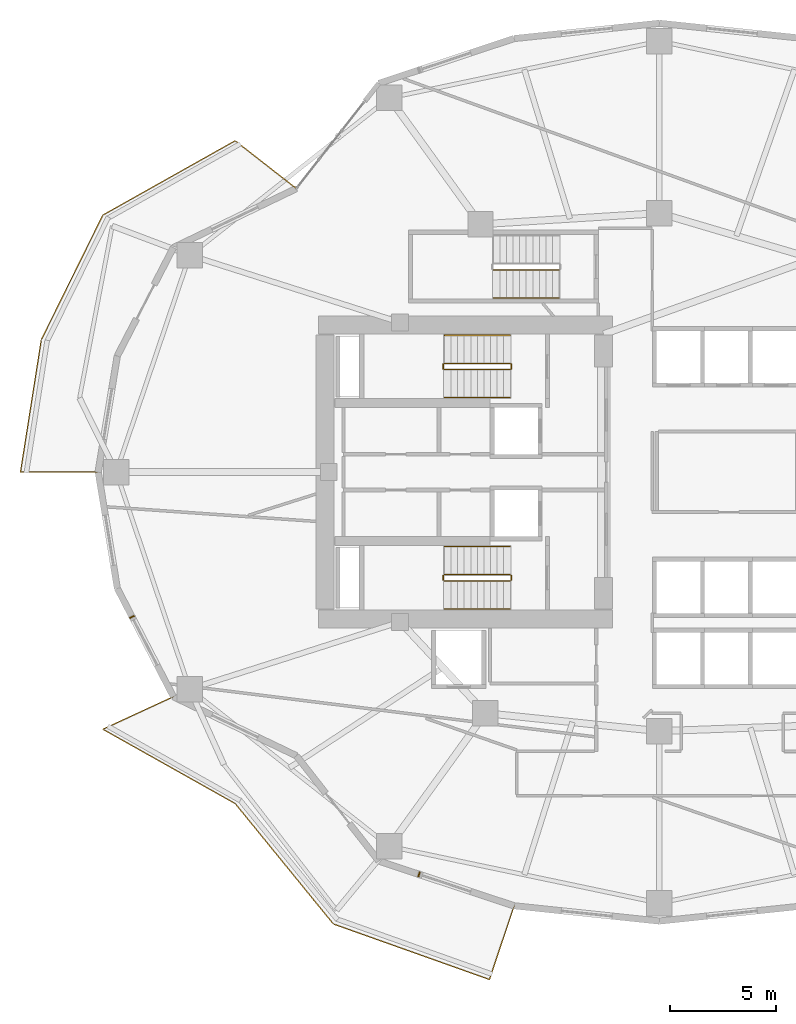
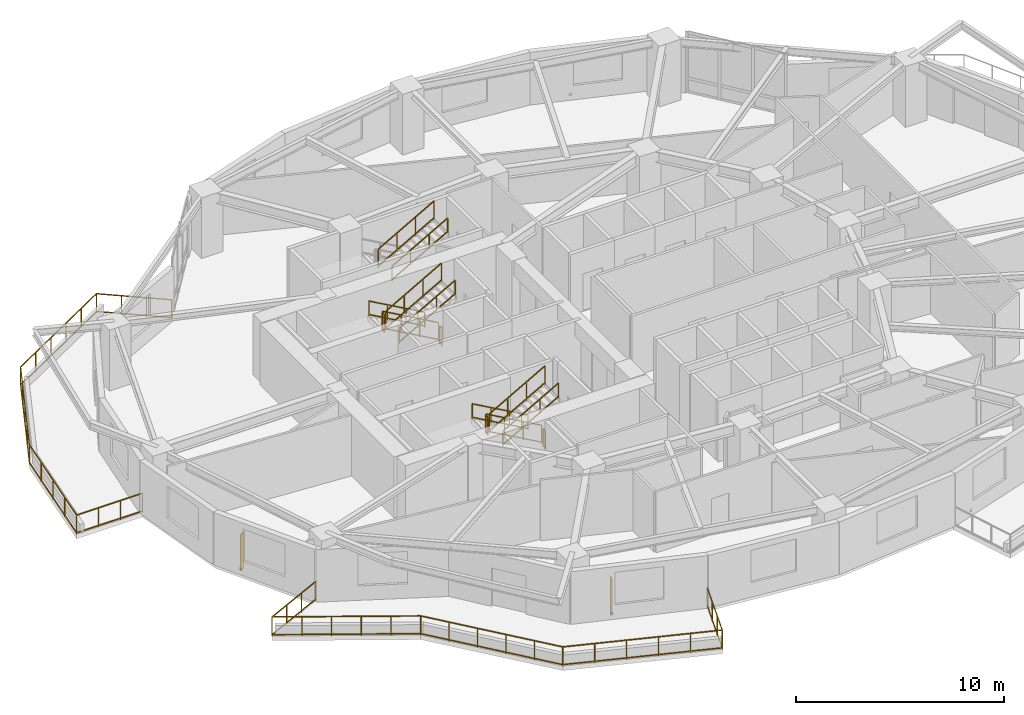
# One storey, part 10 of 12: 16 railings, 2 shading devices.
"""IFC4 building model written with IfcOpenShell, lengths in metres."""

from ifc_helpers import new_model, si_unit, direction, frame, origin, origin_2d, place, context, subcontext, project, spatial, rectangle, extrude, material, type_object, element, save


model = new_model("IFC4")

# Units and contexts
model_context = context("Model", 3, precision=1e-05, world=origin(), true_north=direction((0.0, 1.0)))
body_context = subcontext(model_context, "Body", "Model", "MODEL_VIEW")
ifc_project = project(units=[si_unit("LENGTHUNIT", "METRE"), si_unit("AREAUNIT", "SQUARE_METRE"), si_unit("VOLUMEUNIT", "CUBIC_METRE"), si_unit("PLANEANGLEUNIT", "RADIAN"), si_unit("MASSUNIT", "GRAM", prefix="KILO")], contexts=[model_context])

# Site, building, storey
site_placement = place(None, origin())
site = spatial("IfcSite", under=ifc_project, at=site_placement, CompositionType="ELEMENT")
building_placement = place(site_placement, origin())
building = spatial("IfcBuilding", under=site, at=building_placement, Name="Kolvaren Gate Tower and Convention Centre", CompositionType="ELEMENT")
storey_placement = place(building_placement, frame((0.0, 0.0, 84.25)))
storey = spatial("IfcBuildingStorey", under=building, at=storey_placement, Name="L20", CompositionType="ELEMENT", Elevation=84.25)

# Railings
ifc_material_1 = material(Name="Brushed Stainless Steel Grade 316L", Category="steel")
railing_type_1 = type_object("IfcRailingType", Name="ARCH-RL-GUARD-1150", PredefinedType="GUARDRAIL", material=ifc_material_1)
railing_1_placement = place(storey_placement, frame((23.10009765625, 32.1298828125, 0.175048828125)))
element("IfcRailing", 1, at=railing_1_placement, inside=storey, type_object=railing_type_1, Name="L20 ST-T1 stair guard 1", PredefinedType="GUARDRAIL", context=body_context, shape_type="SweptSolid", body=[
    extrude(rectangle(XDim=0.048095703125, YDim=0.048095703125, at=origin_2d()), frame((0.0, 0.0, 1.076171875), z_axis=(-0.870830938388, 0.0, 0.491582624537), x_axis=(0.0, -1.0, 0.0)), (0.0, 0.0, 1.0), 3.559814453125),
    extrude(rectangle(XDim=0.048095703125, YDim=0.048095703125, at=origin_2d()), frame((0.0, 0.0, 0.083984375), z_axis=(-0.870830938388, 0.0, 0.491582624537), x_axis=(0.0, -1.0, 0.0)), (0.0, 0.0, 1.0), 3.559814453125),
    extrude(rectangle(XDim=0.0419921875, YDim=0.0419921875, at=origin_2d()), origin(), (0.0, 0.0, 1.0), 1.050048828125),
    extrude(rectangle(XDim=0.0419921875, YDim=0.0419921875, at=origin_2d()), frame((-3.10009765625, 0.0, 1.75)), (0.0, 0.0, 1.0), 1.050048828125),
    extrude(rectangle(XDim=0.0419921875, YDim=0.0419921875, at=origin_2d()), frame((-1.033447265625, 0.0, 0.583251953125)), (0.0, 0.0, 1.0), 1.050048828125),
    extrude(rectangle(XDim=0.0419921875, YDim=0.0419921875, at=origin_2d()), frame((-2.066650390625, 0.0, 1.166748046875)), (0.0, 0.0, 1.0), 1.050048828125),
])
railing_2_placement = place(storey_placement, frame((19.949951171875, 32.080078125, 1.925048828125)))
element("IfcRailing", 2, at=railing_2_placement, inside=storey, type_object=railing_type_1, Name="L20 ST-T1 stair guard 2", PredefinedType="GUARDRAIL", context=body_context, shape_type="SweptSolid", body=[
    extrude(rectangle(XDim=0.048095703125, YDim=0.048095703125, at=origin_2d()), frame((0.0, 0.0, 1.076171875), z_axis=(0.0, -1.0, 0.0), x_axis=(1.0, 0.0, 0.0)), (0.0, 0.0, 1.0), 0.2001953125),
    extrude(rectangle(XDim=0.048095703125, YDim=0.048095703125, at=origin_2d()), frame((0.0, 0.0, 0.083984375), z_axis=(0.0, -1.0, 0.0), x_axis=(1.0, 0.0, 0.0)), (0.0, 0.0, 1.0), 0.2001953125),
    extrude(rectangle(XDim=0.0419921875, YDim=0.0419921875, at=origin_2d()), origin(), (0.0, 0.0, 1.0), 1.050048828125),
    extrude(rectangle(XDim=0.0419921875, YDim=0.0419921875, at=origin_2d()), frame((0.0, -0.2001953125, 0.0)), (0.0, 0.0, 1.0), 1.050048828125),
])
railing_3_placement = place(storey_placement, frame((20.0, 31.830078125, 2.10009765625)))
element("IfcRailing", 3, at=railing_3_placement, inside=storey, type_object=railing_type_1, Name="L20 ST-T1 stair guard 3", PredefinedType="GUARDRAIL", context=body_context, shape_type="SweptSolid", body=[
    extrude(rectangle(XDim=0.048095703125, YDim=0.048095703125, at=origin_2d()), frame((0.0, 0.0, 1.076171875), z_axis=(0.870830938388, 0.0, 0.491582624537), x_axis=(0.0, 1.0, 0.0)), (0.0, 0.0, 1.0), 3.559814453125),
    extrude(rectangle(XDim=0.048095703125, YDim=0.048095703125, at=origin_2d()), frame((0.0, 0.0, 0.083984375), z_axis=(0.870830938388, 0.0, 0.491582624537), x_axis=(0.0, 1.0, 0.0)), (0.0, 0.0, 1.0), 3.559814453125),
    extrude(rectangle(XDim=0.0419921875, YDim=0.0419921875, at=origin_2d()), origin(), (0.0, 0.0, 1.0), 1.050048828125),
    extrude(rectangle(XDim=0.0419921875, YDim=0.0419921875, at=origin_2d()), frame((3.10009765625, 0.0, 1.75)), (0.0, 0.0, 1.0), 1.050048828125),
    extrude(rectangle(XDim=0.0419921875, YDim=0.0419921875, at=origin_2d()), frame((1.033447265625, 0.0, 0.583251953125)), (0.0, 0.0, 1.0), 1.050048828125),
    extrude(rectangle(XDim=0.0419921875, YDim=0.0419921875, at=origin_2d()), frame((2.066650390625, 0.0, 1.166748046875)), (0.0, 0.0, 1.0), 1.050048828125),
])
railing_4_placement = place(storey_placement, frame((23.14990234375, 32.080078125, 0.0)))
element("IfcRailing", 4, at=railing_4_placement, inside=storey, type_object=railing_type_1, Name="L20 ST-T1 stair guard 4", PredefinedType="GUARDRAIL", context=body_context, shape_type="SweptSolid", body=[
    extrude(rectangle(XDim=0.048095703125, YDim=0.048095703125, at=origin_2d()), frame((0.0, 0.0, 1.076171875), z_axis=(0.0, -1.0, 0.0), x_axis=(1.0, 0.0, 0.0)), (0.0, 0.0, 1.0), 0.2001953125),
    extrude(rectangle(XDim=0.048095703125, YDim=0.048095703125, at=origin_2d()), frame((0.0, 0.0, 0.083984375), z_axis=(0.0, -1.0, 0.0), x_axis=(1.0, 0.0, 0.0)), (0.0, 0.0, 1.0), 0.2001953125),
    extrude(rectangle(XDim=0.0419921875, YDim=0.0419921875, at=origin_2d()), origin(), (0.0, 0.0, 1.0), 1.050048828125),
    extrude(rectangle(XDim=0.0419921875, YDim=0.0419921875, at=origin_2d()), frame((0.0, -0.2001953125, 0.0)), (0.0, 0.0, 1.0), 1.050048828125),
])
railing_5_placement = place(storey_placement, frame((23.10009765625, 22.169921875, 0.175048828125)))
element("IfcRailing", 5, at=railing_5_placement, inside=storey, type_object=railing_type_1, Name="L20 ST-T2 stair guard 1", PredefinedType="GUARDRAIL", context=body_context, shape_type="SweptSolid", body=[
    extrude(rectangle(XDim=0.048095703125, YDim=0.048095703125, at=origin_2d()), frame((0.0, 0.0, 1.076171875), z_axis=(-0.870830938388, 0.0, 0.491582624537), x_axis=(0.0, -1.0, 0.0)), (0.0, 0.0, 1.0), 3.559814453125),
    extrude(rectangle(XDim=0.048095703125, YDim=0.048095703125, at=origin_2d()), frame((0.0, 0.0, 0.083984375), z_axis=(-0.870830938388, 0.0, 0.491582624537), x_axis=(0.0, -1.0, 0.0)), (0.0, 0.0, 1.0), 3.559814453125),
    extrude(rectangle(XDim=0.0419921875, YDim=0.0419921875, at=origin_2d()), origin(), (0.0, 0.0, 1.0), 1.050048828125),
    extrude(rectangle(XDim=0.0419921875, YDim=0.0419921875, at=origin_2d()), frame((-3.10009765625, 0.0, 1.75)), (0.0, 0.0, 1.0), 1.050048828125),
    extrude(rectangle(XDim=0.0419921875, YDim=0.0419921875, at=origin_2d()), frame((-1.033447265625, 0.0, 0.583251953125)), (0.0, 0.0, 1.0), 1.050048828125),
    extrude(rectangle(XDim=0.0419921875, YDim=0.0419921875, at=origin_2d()), frame((-2.066650390625, 0.0, 1.166748046875)), (0.0, 0.0, 1.0), 1.050048828125),
])
railing_6_placement = place(storey_placement, frame((19.949951171875, 22.1201171875, 1.925048828125)))
element("IfcRailing", 6, at=railing_6_placement, inside=storey, type_object=railing_type_1, Name="L20 ST-T2 stair guard 2", PredefinedType="GUARDRAIL", context=body_context, shape_type="SweptSolid", body=[
    extrude(rectangle(XDim=0.048095703125, YDim=0.048095703125, at=origin_2d()), frame((0.0, 0.0, 1.076171875), z_axis=(0.0, -1.0, 0.0), x_axis=(1.0, 0.0, 0.0)), (0.0, 0.0, 1.0), 0.2001953125),
    extrude(rectangle(XDim=0.048095703125, YDim=0.048095703125, at=origin_2d()), frame((0.0, 0.0, 0.083984375), z_axis=(0.0, -1.0, 0.0), x_axis=(1.0, 0.0, 0.0)), (0.0, 0.0, 1.0), 0.2001953125),
    extrude(rectangle(XDim=0.0419921875, YDim=0.0419921875, at=origin_2d()), origin(), (0.0, 0.0, 1.0), 1.050048828125),
    extrude(rectangle(XDim=0.0419921875, YDim=0.0419921875, at=origin_2d()), frame((0.0, -0.2001953125, 0.0)), (0.0, 0.0, 1.0), 1.050048828125),
])
railing_7_placement = place(storey_placement, frame((20.0, 21.8701171875, 2.10009765625)))
element("IfcRailing", 7, at=railing_7_placement, inside=storey, type_object=railing_type_1, Name="L20 ST-T2 stair guard 3", PredefinedType="GUARDRAIL", context=body_context, shape_type="SweptSolid", body=[
    extrude(rectangle(XDim=0.048095703125, YDim=0.048095703125, at=origin_2d()), frame((0.0, 0.0, 1.076171875), z_axis=(0.870830938388, 0.0, 0.491582624537), x_axis=(0.0, 1.0, 0.0)), (0.0, 0.0, 1.0), 3.559814453125),
    extrude(rectangle(XDim=0.048095703125, YDim=0.048095703125, at=origin_2d()), frame((0.0, 0.0, 0.083984375), z_axis=(0.870830938388, 0.0, 0.491582624537), x_axis=(0.0, 1.0, 0.0)), (0.0, 0.0, 1.0), 3.559814453125),
    extrude(rectangle(XDim=0.0419921875, YDim=0.0419921875, at=origin_2d()), origin(), (0.0, 0.0, 1.0), 1.050048828125),
    extrude(rectangle(XDim=0.0419921875, YDim=0.0419921875, at=origin_2d()), frame((3.10009765625, 0.0, 1.75)), (0.0, 0.0, 1.0), 1.050048828125),
    extrude(rectangle(XDim=0.0419921875, YDim=0.0419921875, at=origin_2d()), frame((1.033447265625, 0.0, 0.583251953125)), (0.0, 0.0, 1.0), 1.050048828125),
    extrude(rectangle(XDim=0.0419921875, YDim=0.0419921875, at=origin_2d()), frame((2.066650390625, 0.0, 1.166748046875)), (0.0, 0.0, 1.0), 1.050048828125),
])
railing_8_placement = place(storey_placement, frame((23.14990234375, 22.1201171875, 0.0)))
element("IfcRailing", 8, at=railing_8_placement, inside=storey, type_object=railing_type_1, Name="L20 ST-T2 stair guard 4", PredefinedType="GUARDRAIL", context=body_context, shape_type="SweptSolid", body=[
    extrude(rectangle(XDim=0.048095703125, YDim=0.048095703125, at=origin_2d()), frame((0.0, 0.0, 1.076171875), z_axis=(0.0, -1.0, 0.0), x_axis=(1.0, 0.0, 0.0)), (0.0, 0.0, 1.0), 0.2001953125),
    extrude(rectangle(XDim=0.048095703125, YDim=0.048095703125, at=origin_2d()), frame((0.0, 0.0, 0.083984375), z_axis=(0.0, -1.0, 0.0), x_axis=(1.0, 0.0, 0.0)), (0.0, 0.0, 1.0), 0.2001953125),
    extrude(rectangle(XDim=0.0419921875, YDim=0.0419921875, at=origin_2d()), origin(), (0.0, 0.0, 1.0), 1.050048828125),
    extrude(rectangle(XDim=0.0419921875, YDim=0.0419921875, at=origin_2d()), frame((0.0, -0.2001953125, 0.0)), (0.0, 0.0, 1.0), 1.050048828125),
])
railing_9_placement = place(storey_placement, frame((22.300048828125, 36.530029296875, 2.10009765625)))
element("IfcRailing", 9, at=railing_9_placement, inside=storey, type_object=railing_type_1, Name="L20 ST-T3 stair guard 3", PredefinedType="GUARDRAIL", context=body_context, shape_type="SweptSolid", body=[
    extrude(rectangle(XDim=0.048095703125, YDim=0.048095703125, at=origin_2d()), frame((0.0, 0.0, 1.076171875), z_axis=(0.870814364268, 0.0, 0.491611984175), x_axis=(0.0, 1.0, 0.0)), (0.0, 0.0, 1.0), 3.559814453125),
    extrude(rectangle(XDim=0.048095703125, YDim=0.048095703125, at=origin_2d()), frame((0.0, 0.0, 0.083984375), z_axis=(0.870814364268, 0.0, 0.491611984175), x_axis=(0.0, 1.0, 0.0)), (0.0, 0.0, 1.0), 3.559814453125),
    extrude(rectangle(XDim=0.0419921875, YDim=0.0419921875, at=origin_2d()), origin(), (0.0, 0.0, 1.0), 1.050048828125),
    extrude(rectangle(XDim=0.0419921875, YDim=0.0419921875, at=origin_2d()), frame((3.099853515625, 0.0, 1.75)), (0.0, 0.0, 1.0), 1.050048828125),
    extrude(rectangle(XDim=0.0419921875, YDim=0.0419921875, at=origin_2d()), frame((1.033203125, 0.0, 0.583251953125)), (0.0, 0.0, 1.0), 1.050048828125),
    extrude(rectangle(XDim=0.0419921875, YDim=0.0419921875, at=origin_2d()), frame((2.066650390625, 0.0, 1.166748046875)), (0.0, 0.0, 1.0), 1.050048828125),
])
railing_10_placement = place(storey_placement, frame((13.026123046875, 40.360107421875, 0.0)))
element("IfcRailing", 10, at=railing_10_placement, inside=storey, type_object=railing_type_1, Name="Tower L20 Terrace Perimeter Guardrail GR-2", PredefinedType="GUARDRAIL", context=body_context, shape_type="SweptSolid", body=[
    extrude(rectangle(XDim=0.048095703125, YDim=0.048095703125, at=origin_2d()), frame((-0.022216796875, 0.017333984375, 1.1259765625), z_axis=(-0.787988976981, 0.61568934712, 0.0), x_axis=(-0.61568934712, -0.787988976981, 0.0)), (0.0, 0.0, 1.0), 3.60400390625),
    extrude(rectangle(XDim=0.048095703125, YDim=0.048095703125, at=origin_2d()), frame((-0.022216796875, 0.017333984375, 0.083984375), z_axis=(-0.787988976981, 0.61568934712, 0.0), x_axis=(-0.61568934712, -0.787988976981, 0.0)), (0.0, 0.0, 1.0), 3.60400390625),
    extrude(rectangle(XDim=0.048095703125, YDim=0.048095703125, at=origin_2d()), frame((-2.908447265625, 2.23974609375, 1.1259765625), z_axis=(-0.871783301661, -0.489891697159, 0.0), x_axis=(0.489891697159, -0.871783301661, 0.0)), (0.0, 0.0, 1.0), 7.096435546875),
    extrude(rectangle(XDim=0.048095703125, YDim=0.048095703125, at=origin_2d()), frame((-2.908447265625, 2.23974609375, 0.083984375), z_axis=(-0.871783301661, -0.489891697159, 0.0), x_axis=(0.489891697159, -0.871783301661, 0.0)), (0.0, 0.0, 1.0), 7.096435546875),
    extrude(rectangle(XDim=0.048095703125, YDim=0.048095703125, at=origin_2d()), frame((-9.1318359375, -1.275634765625, 1.1259765625), z_axis=(-0.442686636348, -0.89667638644, 0.0), x_axis=(0.89667638644, -0.442686636348, 0.0)), (0.0, 0.0, 1.0), 6.488525390625),
    extrude(rectangle(XDim=0.048095703125, YDim=0.048095703125, at=origin_2d()), frame((-9.1318359375, -1.275634765625, 0.083984375), z_axis=(-0.442686636348, -0.89667638644, 0.0), x_axis=(0.89667638644, -0.442686636348, 0.0)), (0.0, 0.0, 1.0), 6.488525390625),
    extrude(rectangle(XDim=0.048095703125, YDim=0.048095703125, at=origin_2d()), frame((-12.02099609375, -7.146484375, 1.1259765625), z_axis=(-0.155418843943, -0.98784866399, 0.0), x_axis=(0.98784866399, -0.155418843943, 0.0)), (0.0, 0.0, 1.0), 6.261962890625),
    extrude(rectangle(XDim=0.048095703125, YDim=0.048095703125, at=origin_2d()), frame((-12.02099609375, -7.146484375, 0.083984375), z_axis=(-0.155418843943, -0.98784866399, 0.0), x_axis=(0.98784866399, -0.155418843943, 0.0)), (0.0, 0.0, 1.0), 6.261962890625),
    extrude(rectangle(XDim=0.048095703125, YDim=0.048095703125, at=origin_2d()), frame((-12.970458984375, -13.360107421875, 1.1259765625), z_axis=(1.0, 0.0, 0.0), x_axis=(0.0, 1.0, 0.0)), (0.0, 0.0, 1.0), 3.603759765625),
    extrude(rectangle(XDim=0.048095703125, YDim=0.048095703125, at=origin_2d()), frame((-12.970458984375, -13.360107421875, 0.083984375), z_axis=(1.0, 0.0, 0.0), x_axis=(0.0, 1.0, 0.0)), (0.0, 0.0, 1.0), 3.603759765625),
    extrude(rectangle(XDim=0.0419921875, YDim=0.0419921875, at=origin_2d()), origin(), (0.0, 0.0, 1.0), 1.14990234375),
    extrude(rectangle(XDim=0.0419921875, YDim=0.0419921875, at=origin_2d()), frame((-2.884033203125, 2.25341796875, 0.0)), (0.0, 0.0, 1.0), 1.14990234375),
    extrude(rectangle(XDim=0.0419921875, YDim=0.0419921875, at=origin_2d()), frame((-0.96142578125, 0.751220703125, 0.0)), (0.0, 0.0, 1.0), 1.099853515625),
    extrude(rectangle(XDim=0.0419921875, YDim=0.0419921875, at=origin_2d()), frame((-1.922607421875, 1.502197265625, 0.0)), (0.0, 0.0, 1.0), 1.099853515625),
    extrude(rectangle(XDim=0.0419921875, YDim=0.0419921875, at=origin_2d()), frame((-9.119384765625, -1.25048828125, 0.0)), (0.0, 0.0, 1.0), 1.14990234375),
    extrude(rectangle(XDim=0.0419921875, YDim=0.0419921875, at=origin_2d()), frame((-4.131103515625, 1.552734375, 0.0)), (0.0, 0.0, 1.0), 1.099853515625),
    extrude(rectangle(XDim=0.0419921875, YDim=0.0419921875, at=origin_2d()), frame((-5.378173828125, 0.851806640625, 0.0)), (0.0, 0.0, 1.0), 1.099853515625),
    extrude(rectangle(XDim=0.0419921875, YDim=0.0419921875, at=origin_2d()), frame((-6.625244140625, 0.151123046875, 0.0)), (0.0, 0.0, 1.0), 1.099853515625),
    extrude(rectangle(XDim=0.0419921875, YDim=0.0419921875, at=origin_2d()), frame((-7.872314453125, -0.5498046875, 0.0)), (0.0, 0.0, 1.0), 1.099853515625),
    extrude(rectangle(XDim=0.0419921875, YDim=0.0419921875, at=origin_2d()), frame((-12.0166015625, -7.118896484375, 0.0)), (0.0, 0.0, 1.0), 1.14990234375),
    extrude(rectangle(XDim=0.0419921875, YDim=0.0419921875, at=origin_2d()), frame((-9.84375, -2.717529296875, 0.0)), (0.0, 0.0, 1.0), 1.099853515625),
    extrude(rectangle(XDim=0.0419921875, YDim=0.0419921875, at=origin_2d()), frame((-10.56787109375, -4.1845703125, 0.0)), (0.0, 0.0, 1.0), 1.099853515625),
    extrude(rectangle(XDim=0.0419921875, YDim=0.0419921875, at=origin_2d()), frame((-11.292236328125, -5.65185546875, 0.0)), (0.0, 0.0, 1.0), 1.099853515625),
    extrude(rectangle(XDim=0.0419921875, YDim=0.0419921875, at=origin_2d()), frame((-12.99853515625, -13.360107421875, 0.0)), (0.0, 0.0, 1.0), 1.14990234375),
    extrude(rectangle(XDim=0.0419921875, YDim=0.0419921875, at=origin_2d()), frame((-12.26220703125, -8.67919921875, 0.0)), (0.0, 0.0, 1.0), 1.099853515625),
    extrude(rectangle(XDim=0.0419921875, YDim=0.0419921875, at=origin_2d()), frame((-12.507568359375, -10.239501953125, 0.0)), (0.0, 0.0, 1.0), 1.099853515625),
    extrude(rectangle(XDim=0.0419921875, YDim=0.0419921875, at=origin_2d()), frame((-12.7529296875, -11.7998046875, 0.0)), (0.0, 0.0, 1.0), 1.099853515625),
    extrude(rectangle(XDim=0.0419921875, YDim=0.0419921875, at=origin_2d()), frame((-9.338623046875, -13.360107421875, 0.0)), (0.0, 0.0, 1.0), 1.14990234375),
    extrude(rectangle(XDim=0.0419921875, YDim=0.0419921875, at=origin_2d()), frame((-11.778564453125, -13.360107421875, 0.0)), (0.0, 0.0, 1.0), 1.099853515625),
    extrude(rectangle(XDim=0.0419921875, YDim=0.0419921875, at=origin_2d()), frame((-10.55859375, -13.360107421875, 0.0)), (0.0, 0.0, 1.0), 1.099853515625),
])
railing_11_placement = place(storey_placement, frame((7.2294921875, 16.425048828125, 0.0)))
element("IfcRailing", 11, at=railing_11_placement, inside=storey, type_object=railing_type_1, Name="Tower L20 Terrace Perimeter Guardrail GR-3", PredefinedType="GUARDRAIL", context=body_context, shape_type="SweptSolid", body=[
    extrude(rectangle(XDim=0.048095703125, YDim=0.048095703125, at=origin_2d()), frame((-0.025390625, -0.01171875, 1.1259765625), z_axis=(-0.907846116663, -0.419303503993, 0.0), x_axis=(0.419303503993, -0.907846116663, 0.0)), (0.0, 0.0, 1.0), 3.60400390625),
    extrude(rectangle(XDim=0.048095703125, YDim=0.048095703125, at=origin_2d()), frame((-0.025390625, -0.01171875, 0.083984375), z_axis=(-0.907846116663, -0.419303503993, 0.0), x_axis=(0.419303503993, -0.907846116663, 0.0)), (0.0, 0.0, 1.0), 3.60400390625),
    extrude(rectangle(XDim=0.048095703125, YDim=0.048095703125, at=origin_2d()), frame((-3.29833984375, -1.54833984375, 1.1259765625), z_axis=(0.871783301661, -0.489891697159, 0.0), x_axis=(0.489891697159, 0.871783301661, 0.0)), (0.0, 0.0, 1.0), 7.096435546875),
    extrude(rectangle(XDim=0.048095703125, YDim=0.048095703125, at=origin_2d()), frame((-3.29833984375, -1.54833984375, 0.083984375), z_axis=(0.871783301661, -0.489891697159, 0.0), x_axis=(0.489891697159, 0.871783301661, 0.0)), (0.0, 0.0, 1.0), 7.096435546875),
    extrude(rectangle(XDim=0.048095703125, YDim=0.048095703125, at=origin_2d()), frame((2.930419921875, -5.060302734375, 1.1259765625), z_axis=(0.631819273026, -0.775115737315, 0.0), x_axis=(0.775115737315, 0.631819273026, 0.0)), (0.0, 0.0, 1.0), 7.259765625),
    extrude(rectangle(XDim=0.048095703125, YDim=0.048095703125, at=origin_2d()), frame((2.930419921875, -5.060302734375, 0.083984375), z_axis=(0.631819273026, -0.775115737315, 0.0), x_axis=(0.775115737315, 0.631819273026, 0.0)), (0.0, 0.0, 1.0), 7.259765625),
    extrude(rectangle(XDim=0.048095703125, YDim=0.048095703125, at=origin_2d()), frame((7.561279296875, -10.718505859375, 1.1259765625), z_axis=(0.942200211781, -0.335050385643, 0.0), x_axis=(0.335050385643, 0.942200211781, 0.0)), (0.0, 0.0, 1.0), 7.7509765625),
    extrude(rectangle(XDim=0.048095703125, YDim=0.048095703125, at=origin_2d()), frame((7.561279296875, -10.718505859375, 0.083984375), z_axis=(0.942200211781, -0.335050385643, 0.0), x_axis=(0.335050385643, 0.942200211781, 0.0)), (0.0, 0.0, 1.0), 7.7509765625),
    extrude(rectangle(XDim=0.048095703125, YDim=0.048095703125, at=origin_2d()), frame((14.8994140625, -13.29833984375, 1.1259765625), z_axis=(0.317568160167, 0.94823544737, 0.0), x_axis=(-0.94823544737, 0.317568160167, 0.0)), (0.0, 0.0, 1.0), 3.60400390625),
    extrude(rectangle(XDim=0.048095703125, YDim=0.048095703125, at=origin_2d()), frame((14.8994140625, -13.29833984375, 0.083984375), z_axis=(0.317568160167, 0.94823544737, 0.0), x_axis=(-0.94823544737, 0.317568160167, 0.0)), (0.0, 0.0, 1.0), 3.60400390625),
    extrude(rectangle(XDim=0.0419921875, YDim=0.0419921875, at=origin_2d()), origin(), (0.0, 0.0, 1.0), 1.14990234375),
    extrude(rectangle(XDim=0.0419921875, YDim=0.0419921875, at=origin_2d()), frame((-3.32275390625, -1.53466796875, 0.0)), (0.0, 0.0, 1.0), 1.14990234375),
    extrude(rectangle(XDim=0.0419921875, YDim=0.0419921875, at=origin_2d()), frame((-1.107666015625, -0.511474609375, 0.0)), (0.0, 0.0, 1.0), 1.099853515625),
    extrude(rectangle(XDim=0.0419921875, YDim=0.0419921875, at=origin_2d()), frame((-2.215087890625, -1.023193359375, 0.0)), (0.0, 0.0, 1.0), 1.099853515625),
    extrude(rectangle(XDim=0.0419921875, YDim=0.0419921875, at=origin_2d()), frame((2.91259765625, -5.03857421875, 0.0)), (0.0, 0.0, 1.0), 1.14990234375),
    extrude(rectangle(XDim=0.0419921875, YDim=0.0419921875, at=origin_2d()), frame((-2.07568359375, -2.2353515625, 0.0)), (0.0, 0.0, 1.0), 1.099853515625),
    extrude(rectangle(XDim=0.0419921875, YDim=0.0419921875, at=origin_2d()), frame((-0.82861328125, -2.936279296875, 0.0)), (0.0, 0.0, 1.0), 1.099853515625),
    extrude(rectangle(XDim=0.0419921875, YDim=0.0419921875, at=origin_2d()), frame((0.41845703125, -3.636962890625, 0.0)), (0.0, 0.0, 1.0), 1.099853515625),
    extrude(rectangle(XDim=0.0419921875, YDim=0.0419921875, at=origin_2d()), frame((1.66552734375, -4.337890625, 0.0)), (0.0, 0.0, 1.0), 1.099853515625),
    extrude(rectangle(XDim=0.0419921875, YDim=0.0419921875, at=origin_2d()), frame((7.534912109375, -10.709228515625, 0.0)), (0.0, 0.0, 1.0), 1.14990234375),
    extrude(rectangle(XDim=0.0419921875, YDim=0.0419921875, at=origin_2d()), frame((3.837158203125, -6.172607421875, 0.0)), (0.0, 0.0, 1.0), 1.099853515625),
    extrude(rectangle(XDim=0.0419921875, YDim=0.0419921875, at=origin_2d()), frame((4.761474609375, -7.306884765625, 0.0)), (0.0, 0.0, 1.0), 1.099853515625),
    extrude(rectangle(XDim=0.0419921875, YDim=0.0419921875, at=origin_2d()), frame((5.68603515625, -8.44091796875, 0.0)), (0.0, 0.0, 1.0), 1.099853515625),
    extrude(rectangle(XDim=0.0419921875, YDim=0.0419921875, at=origin_2d()), frame((6.6103515625, -9.5751953125, 0.0)), (0.0, 0.0, 1.0), 1.099853515625),
    extrude(rectangle(XDim=0.0419921875, YDim=0.0419921875, at=origin_2d()), frame((14.890625, -13.324951171875, 0.0)), (0.0, 0.0, 1.0), 1.14990234375),
    extrude(rectangle(XDim=0.0419921875, YDim=0.0419921875, at=origin_2d()), frame((9.006103515625, -11.232421875, 0.0)), (0.0, 0.0, 1.0), 1.099853515625),
    extrude(rectangle(XDim=0.0419921875, YDim=0.0419921875, at=origin_2d()), frame((10.477294921875, -11.755615234375, 0.0)), (0.0, 0.0, 1.0), 1.099853515625),
    extrude(rectangle(XDim=0.0419921875, YDim=0.0419921875, at=origin_2d()), frame((11.9482421875, -12.278564453125, 0.0)), (0.0, 0.0, 1.0), 1.099853515625),
    extrude(rectangle(XDim=0.0419921875, YDim=0.0419921875, at=origin_2d()), frame((13.41943359375, -12.8017578125, 0.0)), (0.0, 0.0, 1.0), 1.099853515625),
    extrude(rectangle(XDim=0.0419921875, YDim=0.0419921875, at=origin_2d()), frame((16.052978515625, -9.854248046875, 0.0)), (0.0, 0.0, 1.0), 1.14990234375),
    extrude(rectangle(XDim=0.0419921875, YDim=0.0419921875, at=origin_2d()), frame((15.278076171875, -12.16796875, 0.0)), (0.0, 0.0, 1.0), 1.099853515625),
    extrude(rectangle(XDim=0.0419921875, YDim=0.0419921875, at=origin_2d()), frame((15.66552734375, -11.01123046875, 0.0)), (0.0, 0.0, 1.0), 1.099853515625),
])
railing_type_2 = type_object("IfcRailingType", Name="ARCH-RL-HANDRAIL-920", PredefinedType="HANDRAIL", material=ifc_material_1)
railing_12_placement = place(storey_placement, frame((23.10009765625, 33.449951171875, 0.175048828125)))
element("IfcRailing", 12, at=railing_12_placement, inside=storey, type_object=railing_type_2, Name="L20 ST-T1 stair handrail 1", PredefinedType="HANDRAIL", context=body_context, shape_type="SweptSolid", body=[
    extrude(rectangle(XDim=0.048095703125, YDim=0.048095703125, at=origin_2d()), frame((0.0, 0.0, 0.8759765625), z_axis=(-0.870830938388, 0.0, 0.491582624537), x_axis=(0.0, -1.0, 0.0)), (0.0, 0.0, 1.0), 3.559814453125),
    extrude(rectangle(XDim=0.048095703125, YDim=0.048095703125, at=origin_2d()), frame((0.0, 0.0, 0.083984375), z_axis=(-0.870830938388, 0.0, 0.491582624537), x_axis=(0.0, -1.0, 0.0)), (0.0, 0.0, 1.0), 3.559814453125),
    extrude(rectangle(XDim=0.0419921875, YDim=0.0419921875, at=origin_2d()), origin(), (0.0, 0.0, 1.0), 0.849853515625),
    extrude(rectangle(XDim=0.0419921875, YDim=0.0419921875, at=origin_2d()), frame((-3.10009765625, 0.0, 1.75)), (0.0, 0.0, 1.0), 0.849853515625),
    extrude(rectangle(XDim=0.0419921875, YDim=0.0419921875, at=origin_2d()), frame((-1.033447265625, 0.0, 0.583251953125)), (0.0, 0.0, 1.0), 0.849853515625),
    extrude(rectangle(XDim=0.0419921875, YDim=0.0419921875, at=origin_2d()), frame((-2.066650390625, 0.0, 1.166748046875)), (0.0, 0.0, 1.0), 0.849853515625),
])
railing_13_placement = place(storey_placement, frame((20.0, 30.510009765625, 2.10009765625)))
element("IfcRailing", 13, at=railing_13_placement, inside=storey, type_object=railing_type_2, Name="L20 ST-T1 stair handrail 2", PredefinedType="HANDRAIL", context=body_context, shape_type="SweptSolid", body=[
    extrude(rectangle(XDim=0.048095703125, YDim=0.048095703125, at=origin_2d()), frame((0.0, 0.0, 0.8759765625), z_axis=(0.870830938388, 0.0, 0.491582624537), x_axis=(0.0, 1.0, 0.0)), (0.0, 0.0, 1.0), 3.559814453125),
    extrude(rectangle(XDim=0.048095703125, YDim=0.048095703125, at=origin_2d()), frame((0.0, 0.0, 0.083984375), z_axis=(0.870830938388, 0.0, 0.491582624537), x_axis=(0.0, 1.0, 0.0)), (0.0, 0.0, 1.0), 3.559814453125),
    extrude(rectangle(XDim=0.0419921875, YDim=0.0419921875, at=origin_2d()), origin(), (0.0, 0.0, 1.0), 0.849853515625),
    extrude(rectangle(XDim=0.0419921875, YDim=0.0419921875, at=origin_2d()), frame((3.10009765625, 0.0, 1.75)), (0.0, 0.0, 1.0), 0.849853515625),
    extrude(rectangle(XDim=0.0419921875, YDim=0.0419921875, at=origin_2d()), frame((1.033447265625, 0.0, 0.583251953125)), (0.0, 0.0, 1.0), 0.849853515625),
    extrude(rectangle(XDim=0.0419921875, YDim=0.0419921875, at=origin_2d()), frame((2.066650390625, 0.0, 1.166748046875)), (0.0, 0.0, 1.0), 0.849853515625),
])
railing_14_placement = place(storey_placement, frame((23.10009765625, 23.489990234375, 0.175048828125)))
element("IfcRailing", 14, at=railing_14_placement, inside=storey, type_object=railing_type_2, Name="L20 ST-T2 stair handrail 1", PredefinedType="HANDRAIL", context=body_context, shape_type="SweptSolid", body=[
    extrude(rectangle(XDim=0.048095703125, YDim=0.048095703125, at=origin_2d()), frame((0.0, 0.0, 0.8759765625), z_axis=(-0.870830938388, 0.0, 0.491582624537), x_axis=(0.0, -1.0, 0.0)), (0.0, 0.0, 1.0), 3.559814453125),
    extrude(rectangle(XDim=0.048095703125, YDim=0.048095703125, at=origin_2d()), frame((0.0, 0.0, 0.083984375), z_axis=(-0.870830938388, 0.0, 0.491582624537), x_axis=(0.0, -1.0, 0.0)), (0.0, 0.0, 1.0), 3.559814453125),
    extrude(rectangle(XDim=0.0419921875, YDim=0.0419921875, at=origin_2d()), origin(), (0.0, 0.0, 1.0), 0.849853515625),
    extrude(rectangle(XDim=0.0419921875, YDim=0.0419921875, at=origin_2d()), frame((-3.10009765625, 0.0, 1.75)), (0.0, 0.0, 1.0), 0.849853515625),
    extrude(rectangle(XDim=0.0419921875, YDim=0.0419921875, at=origin_2d()), frame((-1.033447265625, 0.0, 0.583251953125)), (0.0, 0.0, 1.0), 0.849853515625),
    extrude(rectangle(XDim=0.0419921875, YDim=0.0419921875, at=origin_2d()), frame((-2.066650390625, 0.0, 1.166748046875)), (0.0, 0.0, 1.0), 0.849853515625),
])
railing_15_placement = place(storey_placement, frame((20.0, 20.550048828125, 2.10009765625)))
element("IfcRailing", 15, at=railing_15_placement, inside=storey, type_object=railing_type_2, Name="L20 ST-T2 stair handrail 2", PredefinedType="HANDRAIL", context=body_context, shape_type="SweptSolid", body=[
    extrude(rectangle(XDim=0.048095703125, YDim=0.048095703125, at=origin_2d()), frame((0.0, 0.0, 0.8759765625), z_axis=(0.870830938388, 0.0, 0.491582624537), x_axis=(0.0, 1.0, 0.0)), (0.0, 0.0, 1.0), 3.559814453125),
    extrude(rectangle(XDim=0.048095703125, YDim=0.048095703125, at=origin_2d()), frame((0.0, 0.0, 0.083984375), z_axis=(0.870830938388, 0.0, 0.491582624537), x_axis=(0.0, 1.0, 0.0)), (0.0, 0.0, 1.0), 3.559814453125),
    extrude(rectangle(XDim=0.0419921875, YDim=0.0419921875, at=origin_2d()), origin(), (0.0, 0.0, 1.0), 0.849853515625),
    extrude(rectangle(XDim=0.0419921875, YDim=0.0419921875, at=origin_2d()), frame((3.10009765625, 0.0, 1.75)), (0.0, 0.0, 1.0), 0.849853515625),
    extrude(rectangle(XDim=0.0419921875, YDim=0.0419921875, at=origin_2d()), frame((1.033447265625, 0.0, 0.583251953125)), (0.0, 0.0, 1.0), 0.849853515625),
    extrude(rectangle(XDim=0.0419921875, YDim=0.0419921875, at=origin_2d()), frame((2.066650390625, 0.0, 1.166748046875)), (0.0, 0.0, 1.0), 0.849853515625),
])
railing_16_placement = place(storey_placement, frame((22.300048828125, 35.2099609375, 2.10009765625)))
element("IfcRailing", 16, at=railing_16_placement, inside=storey, type_object=railing_type_2, Name="L20 ST-T3 stair handrail 2", PredefinedType="HANDRAIL", context=body_context, shape_type="SweptSolid", body=[
    extrude(rectangle(XDim=0.048095703125, YDim=0.048095703125, at=origin_2d()), frame((0.0, 0.0, 0.8759765625), z_axis=(0.870814364268, 0.0, 0.491611984175), x_axis=(0.0, 1.0, 0.0)), (0.0, 0.0, 1.0), 3.559814453125),
    extrude(rectangle(XDim=0.048095703125, YDim=0.048095703125, at=origin_2d()), frame((0.0, 0.0, 0.083984375), z_axis=(0.870814364268, 0.0, 0.491611984175), x_axis=(0.0, 1.0, 0.0)), (0.0, 0.0, 1.0), 3.559814453125),
    extrude(rectangle(XDim=0.0419921875, YDim=0.0419921875, at=origin_2d()), origin(), (0.0, 0.0, 1.0), 0.849853515625),
    extrude(rectangle(XDim=0.0419921875, YDim=0.0419921875, at=origin_2d()), frame((3.099853515625, 0.0, 1.75)), (0.0, 0.0, 1.0), 0.849853515625),
    extrude(rectangle(XDim=0.0419921875, YDim=0.0419921875, at=origin_2d()), frame((1.033203125, 0.0, 0.583251953125)), (0.0, 0.0, 1.0), 0.849853515625),
    extrude(rectangle(XDim=0.0419921875, YDim=0.0419921875, at=origin_2d()), frame((2.066650390625, 0.0, 1.166748046875)), (0.0, 0.0, 1.0), 0.849853515625),
])

# Shading devices
ifc_material_2 = material(Name="Kiln-Fired Bogota Terracotta Ceramic Louvre Profile", Category="masonry")
shading_device_type = type_object("IfcShadingDeviceType", Name="ARCH-SHD-FIN-180", PredefinedType="JALOUSIE", material=ifc_material_2)
for number, where, z_axis, x_axis, name in (
    (17, (5.283447265625, 20.183349609375, 0.219970703125), (0.0, 0.0, 1.0), (0.45980150925, -0.888021718254, 0.0), "Ceramic Vertical Brise-Soleil Fin FN-L20-13"),
    (18, (18.8037109375, 8.0546875, 0.219970703125), (0.0, 0.0, 1.0), (0.949241728595, -0.314547517385, 0.0), "Ceramic Vertical Brise-Soleil Fin FN-L20-16"),
):
    element("IfcShadingDevice", number, at=place(storey_placement, frame(where, z_axis=z_axis, x_axis=x_axis)), inside=storey, type_object=shading_device_type, Name=name, PredefinedType="JALOUSIE", context=body_context, shape_type="SweptSolid", body=[
        extrude(rectangle(XDim=0.06005859375, YDim=0.239990234375, at=origin_2d()), origin(), (0.0, 0.0, 1.0), 2.14990234375),
    ])

save(model, "model.ifc")
